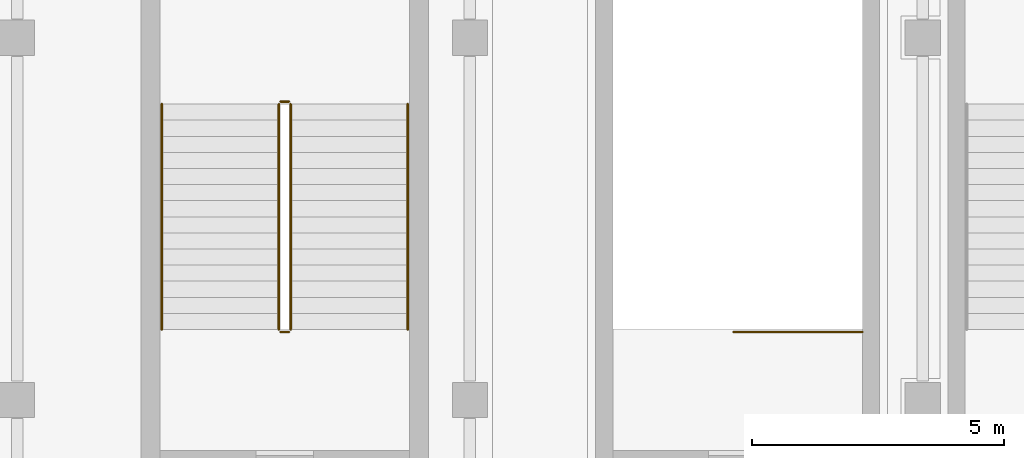
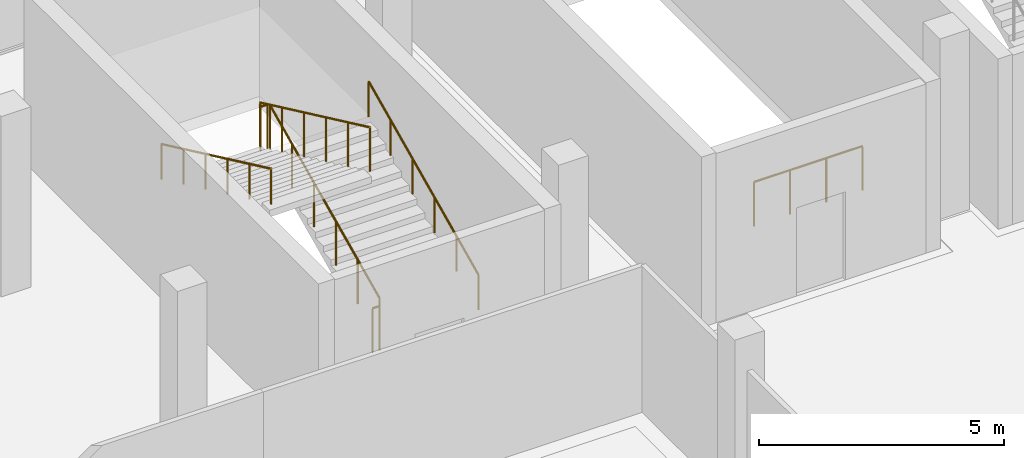
# One storey, part 147 of 151: 7 railings.
"""IFC4 building model written with IfcOpenShell, lengths in metres."""

from ifc_helpers import new_model, si_unit, direction, frame, origin, origin_2d, place, context, subcontext, project, spatial, circle, extrude, material, layer, layer_set, type_object, element, save


model = new_model("IFC4")

# Units and contexts
model_context = context("Model", 3, precision=1e-05, world=origin(), true_north=direction((0.0, 1.0)))
body_context = subcontext(model_context, "Body", "Model", "MODEL_VIEW")
ifc_project = project(units=[si_unit("LENGTHUNIT", "METRE"), si_unit("AREAUNIT", "SQUARE_METRE"), si_unit("VOLUMEUNIT", "CUBIC_METRE"), si_unit("PLANEANGLEUNIT", "RADIAN"), si_unit("MASSUNIT", "GRAM", prefix="KILO")], contexts=[model_context])

# Site, building, storey
site_placement = place(None, origin())
site = spatial("IfcSite", under=ifc_project, at=site_placement, CompositionType="ELEMENT")
building_placement = place(site_placement, origin())
building = spatial("IfcBuilding", under=site, at=building_placement, Name="Celestram Park Convention Centre", CompositionType="ELEMENT")
storey_placement = place(building_placement, frame((0.0, 0.0, 10.800048828125)))
storey = spatial("IfcBuildingStorey", under=building, at=storey_placement, Name="L02", CompositionType="ELEMENT", Elevation=10.800048828125)

# Railings
ifc_material_1 = material(Name="Stainless Steel AISI 316L & Laminated Glass", Category="steel")
ifc_layer_1 = layer(ifc_material_1, 0.06005859375)
ifc_layer_set_1 = layer_set([ifc_layer_1], Name="Stainless Steel AISI 316L & Laminated Glass")
railing_type_1 = type_object("IfcRailingType", Name="ARC-RL-GRD1120", PredefinedType="GUARDRAIL", material=ifc_layer_set_1)
railing_1_placement = place(storey_placement, frame((131.43603515625, 152.60009765625, 0.14990234375)))
element("IfcRailing", 1, at=railing_1_placement, inside=storey, type_object=railing_type_1, Name="L02 ST-05 stair guard 1", PredefinedType="GUARDRAIL", context=body_context, shape_type="SweptSolid", body=[
    extrude(circle(Radius=0.02392578125, at=origin_2d()), frame((0.0, 0.0, 1.09619140625), z_axis=(0.0, 0.905450639465, 0.424451574969), x_axis=(-1.0, 0.0, 0.0)), (0.0, 0.0, 1.0), 4.94775390625),
    extrude(circle(Radius=0.02099609375, at=origin_2d()), origin(), (0.0, 0.0, 1.0), 1.072021484375),
    extrude(circle(Radius=0.02099609375, at=origin_2d()), frame((0.0, 0.89599609375, 0.419921875)), (0.0, 0.0, 1.0), 1.072021484375),
    extrude(circle(Radius=0.02099609375, at=origin_2d()), frame((0.0, 1.7919921875, 0.840087890625)), (0.0, 0.0, 1.0), 1.072021484375),
    extrude(circle(Radius=0.02099609375, at=origin_2d()), frame((0.0, 2.68798828125, 1.260009765625)), (0.0, 0.0, 1.0), 1.072021484375),
    extrude(circle(Radius=0.02099609375, at=origin_2d()), frame((0.0, 3.583984375, 1.68017578125)), (0.0, 0.0, 1.0), 1.072021484375),
    extrude(circle(Radius=0.02099609375, at=origin_2d()), frame((0.0, 4.47998046875, 2.10009765625)), (0.0, 0.0, 1.0), 1.072021484375),
])
railing_2_placement = place(storey_placement, frame((131.39990234375, 157.1298828125, 2.25)))
element("IfcRailing", 2, at=railing_2_placement, inside=storey, type_object=railing_type_1, Name="L02 ST-05 stair guard 2", PredefinedType="GUARDRAIL", context=body_context, shape_type="SweptSolid", body=[
    extrude(circle(Radius=0.02392578125, at=origin_2d()), frame((0.0, 0.0, 1.09619140625), z_axis=(-1.0, 0.0, 0.0), x_axis=(0.0, -1.0, 0.0)), (0.0, 0.0, 1.0), 0.159912109375),
    extrude(circle(Radius=0.02099609375, at=origin_2d()), origin(), (0.0, 0.0, 1.0), 1.072021484375),
    extrude(circle(Radius=0.02099609375, at=origin_2d()), frame((-0.159912109375, 0.0, 0.0)), (0.0, 0.0, 1.0), 1.072021484375),
])
railing_3_placement = place(storey_placement, frame((131.2041015625, 157.080078125, 2.39990234375)))
element("IfcRailing", 3, at=railing_3_placement, inside=storey, type_object=railing_type_1, Name="L02 ST-05 stair guard 3", PredefinedType="GUARDRAIL", context=body_context, shape_type="SweptSolid", body=[
    extrude(circle(Radius=0.02392578125, at=origin_2d()), frame((0.0, 0.0, 1.09619140625), z_axis=(0.0, -0.905450639465, 0.424451574969), x_axis=(1.0, 0.0, 0.0)), (0.0, 0.0, 1.0), 4.94775390625),
    extrude(circle(Radius=0.02099609375, at=origin_2d()), origin(), (0.0, 0.0, 1.0), 1.072021484375),
    extrude(circle(Radius=0.02099609375, at=origin_2d()), frame((0.0, -0.89599609375, 0.419921875)), (0.0, 0.0, 1.0), 1.072021484375),
    extrude(circle(Radius=0.02099609375, at=origin_2d()), frame((0.0, -1.7919921875, 0.840087890625)), (0.0, 0.0, 1.0), 1.072021484375),
    extrude(circle(Radius=0.02099609375, at=origin_2d()), frame((0.0, -2.68798828125, 1.260009765625)), (0.0, 0.0, 1.0), 1.072021484375),
    extrude(circle(Radius=0.02099609375, at=origin_2d()), frame((0.0, -3.583984375, 1.68017578125)), (0.0, 0.0, 1.0), 1.072021484375),
    extrude(circle(Radius=0.02099609375, at=origin_2d()), frame((0.0, -4.47998046875, 2.10009765625)), (0.0, 0.0, 1.0), 1.072021484375),
])
railing_4_placement = place(storey_placement, frame((131.39990234375, 152.550048828125, 0.0)))
element("IfcRailing", 4, at=railing_4_placement, inside=storey, type_object=railing_type_1, Name="L02 ST-05 stair guard 4", PredefinedType="GUARDRAIL", context=body_context, shape_type="SweptSolid", body=[
    extrude(circle(Radius=0.02392578125, at=origin_2d()), frame((0.0, 0.0, 1.09619140625), z_axis=(-1.0, 0.0, 0.0), x_axis=(0.0, -1.0, 0.0)), (0.0, 0.0, 1.0), 0.159912109375),
    extrude(circle(Radius=0.02099609375, at=origin_2d()), origin(), (0.0, 0.0, 1.0), 1.072021484375),
    extrude(circle(Radius=0.02099609375, at=origin_2d()), frame((-0.159912109375, 0.0, 0.0)), (0.0, 0.0, 1.0), 1.072021484375),
])
railing_5_placement = place(storey_placement, frame((142.800048828125, 152.550048828125, 0.0)))
element("IfcRailing", 5, at=railing_5_placement, inside=storey, type_object=railing_type_1, Name="L02 ST-22 top well guard 1", PredefinedType="GUARDRAIL", context=body_context, shape_type="SweptSolid", body=[
    extrude(circle(Radius=0.02392578125, at=origin_2d()), frame((0.0, 0.0, 1.09619140625), z_axis=(-1.0, 0.0, 0.0), x_axis=(0.0, -1.0, 0.0)), (0.0, 0.0, 1.0), 2.56005859375),
    extrude(circle(Radius=0.02099609375, at=origin_2d()), origin(), (0.0, 0.0, 1.0), 1.072021484375),
    extrude(circle(Radius=0.02099609375, at=origin_2d()), frame((-0.853271484375, 0.0, 0.0)), (0.0, 0.0, 1.0), 1.072021484375),
    extrude(circle(Radius=0.02099609375, at=origin_2d()), frame((-1.706787109375, 0.0, 0.0)), (0.0, 0.0, 1.0), 1.072021484375),
    extrude(circle(Radius=0.02099609375, at=origin_2d()), frame((-2.56005859375, 0.0, 0.0)), (0.0, 0.0, 1.0), 1.072021484375),
])
ifc_material_2 = material(Name="Brushed Stainless Steel AISI 304", Category="steel")
ifc_layer_2 = layer(ifc_material_2, 0.048095703125)
ifc_layer_set_2 = layer_set([ifc_layer_2], Name="Brushed Stainless Steel AISI 304")
railing_type_2 = type_object("IfcRailingType", Name="ARC-RL-HND915", PredefinedType="HANDRAIL", material=ifc_layer_set_2)
railing_6_placement = place(storey_placement, frame((133.763916015625, 152.60009765625, 0.14990234375)))
element("IfcRailing", 6, at=railing_6_placement, inside=storey, type_object=railing_type_2, Name="L02 ST-05 stair handrail 1", PredefinedType="HANDRAIL", context=body_context, shape_type="SweptSolid", body=[
    extrude(circle(Radius=0.02392578125, at=origin_2d()), frame((0.0, 0.0, 0.8759765625), z_axis=(0.0, 0.905450639465, 0.424451574969), x_axis=(-1.0, 0.0, 0.0)), (0.0, 0.0, 1.0), 4.94775390625),
    extrude(circle(Radius=0.02099609375, at=origin_2d()), origin(), (0.0, 0.0, 1.0), 0.851806640625),
    extrude(circle(Radius=0.02099609375, at=origin_2d()), frame((0.0, 0.89599609375, 0.419921875)), (0.0, 0.0, 1.0), 0.851806640625),
    extrude(circle(Radius=0.02099609375, at=origin_2d()), frame((0.0, 1.7919921875, 0.840087890625)), (0.0, 0.0, 1.0), 0.851806640625),
    extrude(circle(Radius=0.02099609375, at=origin_2d()), frame((0.0, 2.68798828125, 1.260009765625)), (0.0, 0.0, 1.0), 0.851806640625),
    extrude(circle(Radius=0.02099609375, at=origin_2d()), frame((0.0, 3.583984375, 1.68017578125)), (0.0, 0.0, 1.0), 0.851806640625),
    extrude(circle(Radius=0.02099609375, at=origin_2d()), frame((0.0, 4.47998046875, 2.10009765625)), (0.0, 0.0, 1.0), 0.851806640625),
])
railing_7_placement = place(storey_placement, frame((128.8759765625, 157.080078125, 2.39990234375)))
element("IfcRailing", 7, at=railing_7_placement, inside=storey, type_object=railing_type_2, Name="L02 ST-05 stair handrail 2", PredefinedType="HANDRAIL", context=body_context, shape_type="SweptSolid", body=[
    extrude(circle(Radius=0.02392578125, at=origin_2d()), frame((0.0, 0.0, 0.8759765625), z_axis=(0.0, -0.905450639465, 0.424451574969), x_axis=(1.0, 0.0, 0.0)), (0.0, 0.0, 1.0), 4.94775390625),
    extrude(circle(Radius=0.02099609375, at=origin_2d()), origin(), (0.0, 0.0, 1.0), 0.851806640625),
    extrude(circle(Radius=0.02099609375, at=origin_2d()), frame((0.0, -0.89599609375, 0.419921875)), (0.0, 0.0, 1.0), 0.851806640625),
    extrude(circle(Radius=0.02099609375, at=origin_2d()), frame((0.0, -1.7919921875, 0.840087890625)), (0.0, 0.0, 1.0), 0.851806640625),
    extrude(circle(Radius=0.02099609375, at=origin_2d()), frame((0.0, -2.68798828125, 1.260009765625)), (0.0, 0.0, 1.0), 0.851806640625),
    extrude(circle(Radius=0.02099609375, at=origin_2d()), frame((0.0, -3.583984375, 1.68017578125)), (0.0, 0.0, 1.0), 0.851806640625),
    extrude(circle(Radius=0.02099609375, at=origin_2d()), frame((0.0, -4.47998046875, 2.10009765625)), (0.0, 0.0, 1.0), 0.851806640625),
])

save(model, "model.ifc")
